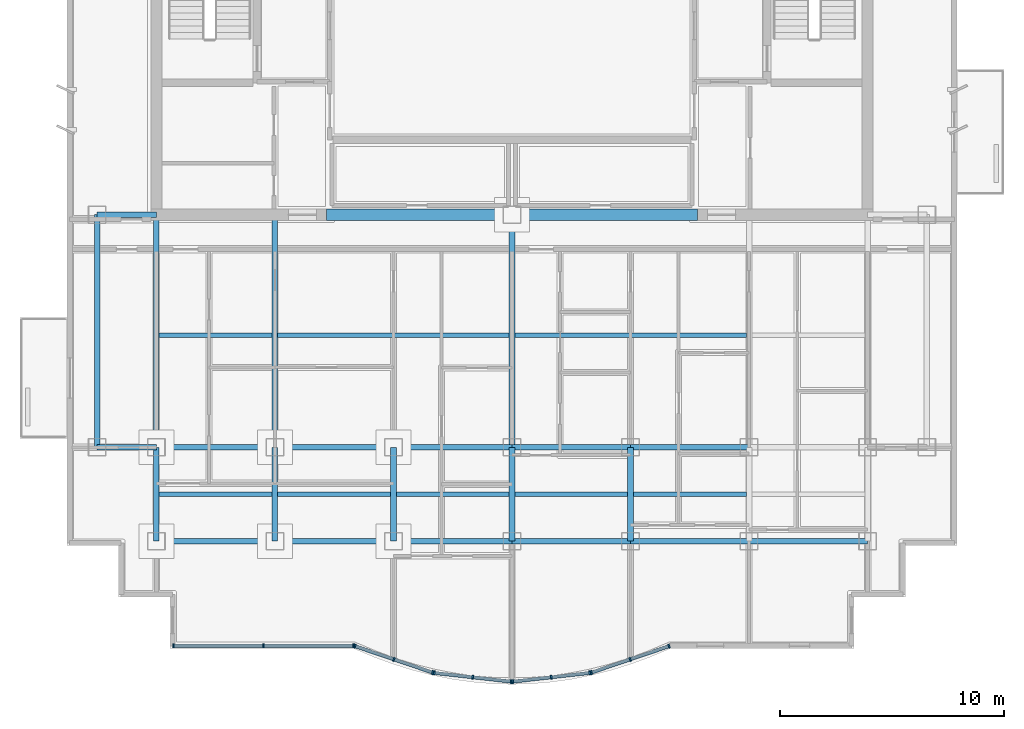
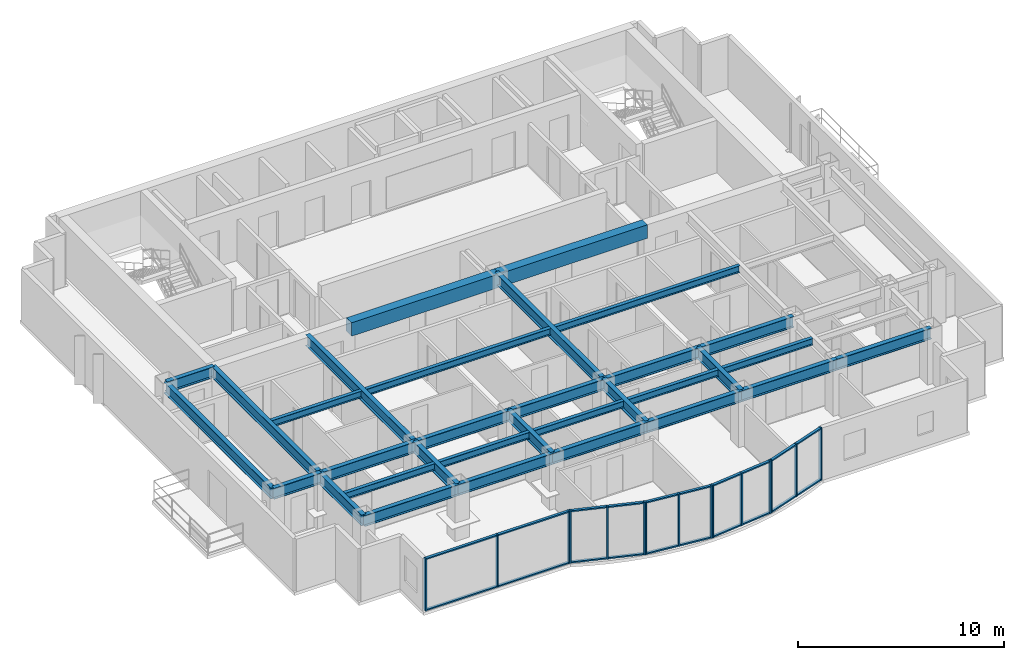
# One storey, part 2 of 9: 35 members, 32 beams, 5 elements without a shape of their own.
"""IFC4 building model written with IfcOpenShell, lengths in metres."""

from ifc_helpers import new_model, si_unit, direction, frame, origin, origin_2d, place, context, subcontext, project, spatial, rectangle, i_section, extrude, source, transform, mapped, material, layer, layer_set, material_profile, profile_set, type_object, element, aggregate, save


model = new_model("IFC4")

# Units and contexts
model_context = context("Model", 3, precision=1e-05, world=origin(), true_north=direction((0.0, 1.0)))
body_context = subcontext(model_context, "Body", "Model", "MODEL_VIEW")
ifc_project = project(units=[si_unit("LENGTHUNIT", "METRE"), si_unit("AREAUNIT", "SQUARE_METRE"), si_unit("VOLUMEUNIT", "CUBIC_METRE"), si_unit("PLANEANGLEUNIT", "RADIAN"), si_unit("MASSUNIT", "GRAM", prefix="KILO")], contexts=[model_context])

# Site, building, storey
site_placement = place(None, origin())
site = spatial("IfcSite", under=ifc_project, at=site_placement, CompositionType="ELEMENT")
building_placement = place(site_placement, origin())
building = spatial("IfcBuilding", under=site, at=building_placement, Name="Qianlan Lanfeng Residences", CompositionType="ELEMENT")
storey_placement = place(building_placement, frame((0.0, 0.0, 213.199951171875)))
storey = spatial("IfcBuildingStorey", under=building, at=storey_placement, Name="L58", CompositionType="ELEMENT", Elevation=213.199951171875)

# Beams
ifc_material_1 = material(Name="Steel SN490B", Category="steel")
ifc_material_profile_1 = material_profile(ifc_material_1, i_section(OverallWidth=0.25, OverallDepth=0.64990234375, WebThickness=0.012939453125, FlangeThickness=0.02197265625, at=origin_2d()), Name="H 650x250x13x22")
ifc_profile_set_1 = profile_set([ifc_material_profile_1], Name="Steel SN490B")
beam_type_1 = type_object("IfcBeamType", Name="G-650", PredefinedType="BEAM", material=ifc_profile_set_1)
beam_1_placement = place(storey_placement, frame((10.60009765625, 10.60009765625, 2.78515625), z_axis=(1.0, 0.0, 0.0), x_axis=(0.0, 1.0, 0.0)))
element("IfcBeam", 1, at=beam_1_placement, inside=storey, type_object=beam_type_1, Name="Structural beam G-650", PredefinedType="BEAM", context=body_context, shape_type="SweptSolid", body=[
    extrude(i_section(OverallWidth=0.25, OverallDepth=0.64990234375, WebThickness=0.012939453125, FlangeThickness=0.02197265625, at=origin_2d()), origin(), (0.0, 0.0, 1.0), 5.2998046875),
])
for number, where, z_axis, x_axis, name in (
    (2, (15.89990234375, 10.60009765625, 2.78515625), (1.0, 0.0, 0.0), (0.0, 1.0, 0.0), "Structural beam G-650"),
    (3, (21.199951171875, 10.60009765625, 2.78515625), (1.0, 0.0, 0.0), (0.0, 1.0, 0.0), "Structural beam G-650"),
    (4, (26.5, 10.60009765625, 2.78515625), (1.0, 0.0, 0.0), (0.0, 1.0, 0.0), "Structural beam G-650"),
    (5, (31.800048828125, 10.60009765625, 2.78515625), (1.0, 0.0, 0.0), (0.0, 1.0, 0.0), "Structural beam G-650"),
):
    element("IfcBeam", number, at=place(storey_placement, frame(where, z_axis=z_axis, x_axis=x_axis)), inside=storey, type_object=beam_type_1, Name=name, PredefinedType="BEAM", context=body_context, shape_type="SweptSolid", body=[
        extrude(i_section(OverallWidth=0.25, OverallDepth=0.64990234375, WebThickness=0.012939453125, FlangeThickness=0.02197265625, at=origin_2d()), origin(), (0.0, 0.0, 1.0), 5.300048828125),
    ])
beam_2_placement = place(storey_placement, frame((37.10009765625, 10.60009765625, 2.78515625), z_axis=(1.0, 0.0, 0.0), x_axis=(0.0, 1.0, 0.0)))
element("IfcBeam", 6, at=beam_2_placement, inside=storey, type_object=beam_type_1, Name="Structural beam G-650", PredefinedType="BEAM", context=body_context, shape_type="SweptSolid", body=[
    extrude(i_section(OverallWidth=0.25, OverallDepth=0.64990234375, WebThickness=0.012939453125, FlangeThickness=0.02197265625, at=origin_2d()), origin(), (0.0, 0.0, 1.0), 5.2998046875),
])
beam_3_placement = place(storey_placement, frame((7.949951171875, 14.800048828125, 2.78515625), z_axis=(1.0, 0.0, 0.0), x_axis=(0.0, 1.0, 0.0)))
element("IfcBeam", 7, at=beam_3_placement, inside=storey, type_object=beam_type_1, Name="Structural beam G-650", PredefinedType="BEAM", context=body_context, shape_type="SweptSolid", body=[
    extrude(i_section(OverallWidth=0.25, OverallDepth=0.64990234375, WebThickness=0.012939453125, FlangeThickness=0.02197265625, at=origin_2d()), origin(), (0.0, 0.0, 1.0), 2.650146484375),
])
beam_4_placement = place(storey_placement, frame((10.60009765625, 14.800048828125, 2.78515625), z_axis=(1.0, 0.0, 0.0), x_axis=(0.0, 1.0, 0.0)))
element("IfcBeam", 8, at=beam_4_placement, inside=storey, type_object=beam_type_1, Name="Structural beam G-650", PredefinedType="BEAM", context=body_context, shape_type="SweptSolid", body=[
    extrude(i_section(OverallWidth=0.25, OverallDepth=0.64990234375, WebThickness=0.012939453125, FlangeThickness=0.02197265625, at=origin_2d()), origin(), (0.0, 0.0, 1.0), 5.2998046875),
])
for number, where, z_axis, x_axis, name in (
    (9, (15.89990234375, 14.800048828125, 2.78515625), (1.0, 0.0, 0.0), (0.0, 1.0, 0.0), "Structural beam G-650"),
    (10, (21.199951171875, 14.800048828125, 2.78515625), (1.0, 0.0, 0.0), (0.0, 1.0, 0.0), "Structural beam G-650"),
    (11, (26.5, 14.800048828125, 2.78515625), (1.0, 0.0, 0.0), (0.0, 1.0, 0.0), "Structural beam G-650"),
    (12, (31.800048828125, 14.800048828125, 2.78515625), (1.0, 0.0, 0.0), (0.0, 1.0, 0.0), "Structural beam G-650"),
):
    element("IfcBeam", number, at=place(storey_placement, frame(where, z_axis=z_axis, x_axis=x_axis)), inside=storey, type_object=beam_type_1, Name=name, PredefinedType="BEAM", context=body_context, shape_type="SweptSolid", body=[
        extrude(i_section(OverallWidth=0.25, OverallDepth=0.64990234375, WebThickness=0.012939453125, FlangeThickness=0.02197265625, at=origin_2d()), origin(), (0.0, 0.0, 1.0), 5.300048828125),
    ])
beam_5_placement = place(storey_placement, frame((7.949951171875, 25.199951171875, 2.78515625), z_axis=(1.0, 0.0, 0.0), x_axis=(0.0, 1.0, 0.0)))
element("IfcBeam", 13, at=beam_5_placement, inside=storey, type_object=beam_type_1, Name="Structural beam G-650", PredefinedType="BEAM", context=body_context, shape_type="SweptSolid", body=[
    extrude(i_section(OverallWidth=0.25, OverallDepth=0.64990234375, WebThickness=0.012939453125, FlangeThickness=0.02197265625, at=origin_2d()), origin(), (0.0, 0.0, 1.0), 2.650146484375),
])
beam_6_placement = place(storey_placement, frame((10.60009765625, 10.60009765625, 2.78515625), z_axis=(0.0, 1.0, 0.0), x_axis=(-1.0, 0.0, 0.0)))
element("IfcBeam", 14, at=beam_6_placement, inside=storey, type_object=beam_type_1, Name="Structural beam G-650", PredefinedType="BEAM", context=body_context, shape_type="SweptSolid", body=[
    extrude(i_section(OverallWidth=0.25, OverallDepth=0.64990234375, WebThickness=0.012939453125, FlangeThickness=0.02197265625, at=origin_2d()), origin(), (0.0, 0.0, 1.0), 4.199951171875),
])
beam_7_placement = place(storey_placement, frame((10.60009765625, 14.800048828125, 2.78515625), z_axis=(0.0, 1.0, 0.0), x_axis=(-1.0, 0.0, 0.0)))
element("IfcBeam", 15, at=beam_7_placement, inside=storey, type_object=beam_type_1, Name="Structural beam G-650", PredefinedType="BEAM", context=body_context, shape_type="SweptSolid", body=[
    extrude(i_section(OverallWidth=0.25, OverallDepth=0.64990234375, WebThickness=0.012939453125, FlangeThickness=0.02197265625, at=origin_2d()), origin(), (0.0, 0.0, 1.0), 10.39990234375),
])
beam_8_placement = place(storey_placement, frame((15.89990234375, 10.60009765625, 2.78515625), z_axis=(0.0, 1.0, 0.0), x_axis=(-1.0, 0.0, 0.0)))
element("IfcBeam", 16, at=beam_8_placement, inside=storey, type_object=beam_type_1, Name="Structural beam G-650", PredefinedType="BEAM", context=body_context, shape_type="SweptSolid", body=[
    extrude(i_section(OverallWidth=0.25, OverallDepth=0.64990234375, WebThickness=0.012939453125, FlangeThickness=0.02197265625, at=origin_2d()), origin(), (0.0, 0.0, 1.0), 4.199951171875),
])
beam_9_placement = place(storey_placement, frame((15.89990234375, 14.800048828125, 2.78515625), z_axis=(0.0, 1.0, 0.0), x_axis=(-1.0, 0.0, 0.0)))
element("IfcBeam", 17, at=beam_9_placement, inside=storey, type_object=beam_type_1, Name="Structural beam G-650", PredefinedType="BEAM", context=body_context, shape_type="SweptSolid", body=[
    extrude(i_section(OverallWidth=0.25, OverallDepth=0.64990234375, WebThickness=0.012939453125, FlangeThickness=0.02197265625, at=origin_2d()), origin(), (0.0, 0.0, 1.0), 10.39990234375),
])
for number, where, z_axis, x_axis, name in (
    (18, (21.199951171875, 10.60009765625, 2.78515625), (0.0, 1.0, 0.0), (-1.0, 0.0, 0.0), "Structural beam G-650"),
    (19, (26.5, 10.60009765625, 2.78515625), (0.0, 1.0, 0.0), (-1.0, 0.0, 0.0), "Structural beam G-650"),
):
    element("IfcBeam", number, at=place(storey_placement, frame(where, z_axis=z_axis, x_axis=x_axis)), inside=storey, type_object=beam_type_1, Name=name, PredefinedType="BEAM", context=body_context, shape_type="SweptSolid", body=[
        extrude(i_section(OverallWidth=0.25, OverallDepth=0.64990234375, WebThickness=0.012939453125, FlangeThickness=0.02197265625, at=origin_2d()), origin(), (0.0, 0.0, 1.0), 4.199951171875),
    ])
beam_10_placement = place(storey_placement, frame((26.5, 14.800048828125, 2.78515625), z_axis=(0.0, 1.0, 0.0), x_axis=(-1.0, 0.0, 0.0)))
element("IfcBeam", 20, at=beam_10_placement, inside=storey, type_object=beam_type_1, Name="Structural beam G-650", PredefinedType="BEAM", context=body_context, shape_type="SweptSolid", body=[
    extrude(i_section(OverallWidth=0.25, OverallDepth=0.64990234375, WebThickness=0.012939453125, FlangeThickness=0.02197265625, at=origin_2d()), origin(), (0.0, 0.0, 1.0), 10.39990234375),
])
beam_11_placement = place(storey_placement, frame((31.800048828125, 10.60009765625, 2.78515625), z_axis=(0.0, 1.0, 0.0), x_axis=(-1.0, 0.0, 0.0)))
element("IfcBeam", 21, at=beam_11_placement, inside=storey, type_object=beam_type_1, Name="Structural beam G-650", PredefinedType="BEAM", context=body_context, shape_type="SweptSolid", body=[
    extrude(i_section(OverallWidth=0.25, OverallDepth=0.64990234375, WebThickness=0.012939453125, FlangeThickness=0.02197265625, at=origin_2d()), origin(), (0.0, 0.0, 1.0), 4.199951171875),
])
ifc_material_profile_2 = material_profile(ifc_material_1, i_section(OverallWidth=0.199951171875, OverallDepth=0.39990234375, WebThickness=0.008056640625, FlangeThickness=0.012939453125, at=origin_2d()), Name="H 400x200x8x13")
ifc_profile_set_2 = profile_set([ifc_material_profile_2], Name="Steel SN490B")
beam_type_2 = type_object("IfcBeamType", Name="J-400", PredefinedType="JOIST", material=ifc_profile_set_2)
beam_12_placement = place(storey_placement, frame((10.72509765625, 12.699951171875, 2.91015625), z_axis=(1.0, 0.0, 0.0), x_axis=(0.0, 1.0, 0.0)))
element("IfcBeam", 22, at=beam_12_placement, inside=storey, type_object=beam_type_2, Name="Structural beam J-400", PredefinedType="JOIST", context=body_context, shape_type="SweptSolid", body=[
    extrude(i_section(OverallWidth=0.199951171875, OverallDepth=0.39990234375, WebThickness=0.008056640625, FlangeThickness=0.012939453125, at=origin_2d()), origin(), (0.0, 0.0, 1.0), 5.0498046875),
])
for number, where, z_axis, x_axis, name in (
    (23, (16.02490234375, 12.699951171875, 2.91015625), (1.0, 0.0, 0.0), (0.0, 1.0, 0.0), "Structural beam J-400"),
    (24, (21.324951171875, 12.699951171875, 2.91015625), (1.0, 0.0, 0.0), (0.0, 1.0, 0.0), "Structural beam J-400"),
    (25, (26.625, 12.699951171875, 2.91015625), (1.0, 0.0, 0.0), (0.0, 1.0, 0.0), "Structural beam J-400"),
    (26, (31.925048828125, 12.699951171875, 2.91015625), (1.0, 0.0, 0.0), (0.0, 1.0, 0.0), "Structural beam J-400"),
):
    element("IfcBeam", number, at=place(storey_placement, frame(where, z_axis=z_axis, x_axis=x_axis)), inside=storey, type_object=beam_type_2, Name=name, PredefinedType="JOIST", context=body_context, shape_type="SweptSolid", body=[
        extrude(i_section(OverallWidth=0.199951171875, OverallDepth=0.39990234375, WebThickness=0.008056640625, FlangeThickness=0.012939453125, at=origin_2d()), origin(), (0.0, 0.0, 1.0), 5.050048828125),
    ])
beam_13_placement = place(storey_placement, frame((10.72509765625, 19.800048828125, 2.91015625), z_axis=(1.0, 0.0, 0.0), x_axis=(0.0, 1.0, 0.0)))
element("IfcBeam", 27, at=beam_13_placement, inside=storey, type_object=beam_type_2, Name="Structural beam J-400", PredefinedType="JOIST", context=body_context, shape_type="SweptSolid", body=[
    extrude(i_section(OverallWidth=0.199951171875, OverallDepth=0.39990234375, WebThickness=0.008056640625, FlangeThickness=0.012939453125, at=origin_2d()), origin(), (0.0, 0.0, 1.0), 5.0498046875),
])
for number, where, z_axis, x_axis, name in (
    (28, (16.02490234375, 19.800048828125, 2.91015625), (1.0, 0.0, 0.0), (0.0, 1.0, 0.0), "Structural beam J-400"),
    (29, (26.625, 19.800048828125, 2.91015625), (1.0, 0.0, 0.0), (0.0, 1.0, 0.0), "Structural beam J-400"),
):
    element("IfcBeam", number, at=place(storey_placement, frame(where, z_axis=z_axis, x_axis=x_axis)), inside=storey, type_object=beam_type_2, Name=name, PredefinedType="JOIST", context=body_context, shape_type="SweptSolid", body=[
        extrude(i_section(OverallWidth=0.199951171875, OverallDepth=0.39990234375, WebThickness=0.008056640625, FlangeThickness=0.012939453125, at=origin_2d()), origin(), (0.0, 0.0, 1.0), 10.35009765625),
    ])
ifc_material_2 = material(Name="Concrete C49", Category="concrete")
ifc_material_profile_3 = material_profile(ifc_material_2, rectangle(XDim=0.5, YDim=0.800048828125, at=origin_2d()), Name="RC 500x800")
ifc_profile_set_3 = profile_set([ifc_material_profile_3], Name="Concrete C49")
beam_type_3 = type_object("IfcBeamType", Name="LB-RC750", PredefinedType="BEAM", material=ifc_profile_set_3)
for number, where, z_axis, x_axis, name in (
    (30, (18.199951171875, 25.199951171875, 2.7099609375), (1.0, 0.0, 0.0), (0.0, 1.0, 0.0), "L58 Core Coupling Beam W"),
    (31, (26.5, 25.199951171875, 2.7099609375), (1.0, 0.0, 0.0), (0.0, 1.0, 0.0), "L58 Core Coupling Beam E"),
):
    element("IfcBeam", number, at=place(storey_placement, frame(where, z_axis=z_axis, x_axis=x_axis)), inside=storey, type_object=beam_type_3, Name=name, PredefinedType="BEAM", context=body_context, shape_type="SweptSolid", body=[
        extrude(rectangle(XDim=0.5, YDim=0.800048828125, at=origin_2d()), origin(), (0.0, 0.0, 1.0), 8.300048828125),
    ])
ifc_material_profile_4 = material_profile(ifc_material_1, i_section(OverallWidth=0.25, OverallDepth=0.64990234375, WebThickness=0.012939453125, FlangeThickness=0.02197265625, at=origin_2d()), Name="H 650x250x13x22")
ifc_profile_set_4 = profile_set([ifc_material_profile_4], Name="Steel SN490B")
beam_type_4 = type_object("IfcBeamType", Name="SG-650", PredefinedType="SPANDREL", material=ifc_profile_set_4)
beam_14_placement = place(storey_placement, frame((7.949951171875, 14.800048828125, 2.76513671875), z_axis=(0.0, 1.0, 0.0), x_axis=(-1.0, 0.0, 0.0)))
element("IfcBeam", 32, at=beam_14_placement, inside=storey, type_object=beam_type_4, Name="Structural beam SG-650", PredefinedType="SPANDREL", context=body_context, shape_type="SweptSolid", body=[
    extrude(i_section(OverallWidth=0.25, OverallDepth=0.64990234375, WebThickness=0.012939453125, FlangeThickness=0.02197265625, at=origin_2d()), origin(), (0.0, 0.0, 1.0), 10.39990234375),
])

# Curtain wall, members
ifc_material_3 = material(Name="Anodised Bronze Aluminium 6063-T6", Category="aluminium")
ifc_layer = layer(ifc_material_3, 0.219970703125)
ifc_layer_set = layer_set([ifc_layer], Name="Anodised Bronze Aluminium 6063-T6")
curtain_wall_type = type_object("IfcCurtainWallType", Name="CW-05", PredefinedType="NOTDEFINED", material=ifc_layer_set)
curtain_wall_1_placement = place(storey_placement, origin())
curtain_wall_1 = element("IfcCurtainWall", 33, at=curtain_wall_1_placement, inside=storey, type_object=curtain_wall_type, Name="L58 Unitised Curtain Wall CWR-L58-01 (CW-05)", PredefinedType="NOTDEFINED")
ifc_material_profile_5 = material_profile(ifc_material_3, rectangle(XDim=0.074951171875, YDim=0.14990234375, at=origin_2d()), Name="ALU TRANSOM 75x150")
ifc_profile_set_5 = profile_set([ifc_material_profile_5], Name="Anodised Bronze Aluminium 6063-T6")
member_type_1 = type_object("IfcMemberType", Name="CWT-150", PredefinedType="USERDEFINED", material=ifc_profile_set_5)
shared_shape_1 = source(origin(), body_context, "Body", "SweptSolid", [
    extrude(rectangle(XDim=0.074951171875, YDim=0.14990234375, at=origin_2d()), origin(), (0.0, 0.0, 1.0), 3.949462890625),
])
member_1_placement = place(storey_placement, frame((11.39501953125, 5.919921875, 0.03759765625), z_axis=(1.0, 0.0, 0.0), x_axis=(0.0, 0.0, 1.0)))
member_1 = element("IfcMember", 34, at=member_1_placement, type_object=member_type_1, Name="CWR-L58-01 Transom 1-BOT", ObjectType="TRANSOM", PredefinedType="USERDEFINED", context=body_context, shape_type="MappedRepresentation", body=[
    mapped(shared_shape_1, transform((0.0, 0.0, 0.0), scale=1.0)),
])
member_2_placement = place(storey_placement, frame((11.39501953125, 5.919921875, 3.072509765625), z_axis=(1.0, 0.0, 0.0), x_axis=(0.0, 0.0, 1.0)))
member_2 = element("IfcMember", 35, at=member_2_placement, type_object=member_type_1, Name="CWR-L58-01 Transom 1-TOP", ObjectType="TRANSOM", PredefinedType="USERDEFINED", context=body_context, shape_type="MappedRepresentation", body=[
    mapped(shared_shape_1, transform((0.0, 0.0, 0.0), scale=1.0)),
])
member_3_placement = place(storey_placement, frame((15.41943359375, 5.919921875, 0.03759765625), z_axis=(1.0, 0.0, 0.0), x_axis=(0.0, 0.0, 1.0)))
member_3 = element("IfcMember", 36, at=member_3_placement, type_object=member_type_1, Name="CWR-L58-01 Transom 2-BOT", ObjectType="TRANSOM", PredefinedType="USERDEFINED", context=body_context, shape_type="MappedRepresentation", body=[
    mapped(shared_shape_1, transform((0.0, 0.0, 0.0), scale=1.0)),
])
member_4_placement = place(storey_placement, frame((15.41943359375, 5.919921875, 3.072509765625), z_axis=(1.0, 0.0, 0.0), x_axis=(0.0, 0.0, 1.0)))
member_4 = element("IfcMember", 37, at=member_4_placement, type_object=member_type_1, Name="CWR-L58-01 Transom 2-TOP", ObjectType="TRANSOM", PredefinedType="USERDEFINED", context=body_context, shape_type="MappedRepresentation", body=[
    mapped(shared_shape_1, transform((0.0, 0.0, 0.0), scale=1.0)),
])

curtain_wall_2_placement = place(storey_placement, origin())
curtain_wall_2 = element("IfcCurtainWall", 38, at=curtain_wall_2_placement, inside=storey, type_object=curtain_wall_type, Name="L58 Unitised Curtain Wall CWR-L58-02 (CW-05)", PredefinedType="NOTDEFINED")
shared_shape_2 = source(origin(), body_context, "Body", "SweptSolid", [
    extrude(rectangle(XDim=0.074951171875, YDim=0.14990234375, at=origin_2d()), origin(), (0.0, 0.0, 1.0), 1.758056640625),
])
member_5_placement = place(storey_placement, frame((19.514892578125, 5.89599609375, 0.03759765625), z_axis=(0.946862437727, -0.321638809882, 0.0), x_axis=(0.0, 0.0, 1.0)))
member_5 = element("IfcMember", 39, at=member_5_placement, type_object=member_type_1, Name="CWR-L58-02 Transom 1-BOT", ObjectType="TRANSOM", PredefinedType="USERDEFINED", context=body_context, shape_type="MappedRepresentation", body=[
    mapped(shared_shape_2, transform((0.0, 0.0, 0.0), scale=1.0)),
])
member_6_placement = place(storey_placement, frame((19.514892578125, 5.89599609375, 3.072509765625), z_axis=(0.946862437727, -0.321638809882, 0.0), x_axis=(0.0, 0.0, 1.0)))
member_6 = element("IfcMember", 40, at=member_6_placement, type_object=member_type_1, Name="CWR-L58-02 Transom 1-TOP", ObjectType="TRANSOM", PredefinedType="USERDEFINED", context=body_context, shape_type="MappedRepresentation", body=[
    mapped(shared_shape_2, transform((0.0, 0.0, 0.0), scale=1.0)),
])

curtain_wall_3_placement = place(storey_placement, origin())
curtain_wall_3 = element("IfcCurtainWall", 41, at=curtain_wall_3_placement, inside=storey, type_object=curtain_wall_type, Name="L58 Unitised Curtain Wall CWR-L58-05 (CW-05)", PredefinedType="NOTDEFINED")
member_7_placement = place(storey_placement, frame((31.820556640625, 5.33056640625, 0.03759765625), z_axis=(0.946862437727, 0.321638809882, 0.0), x_axis=(0.0, 0.0, 1.0)))
member_7 = element("IfcMember", 42, at=member_7_placement, type_object=member_type_1, Name="CWR-L58-05 Transom 2-BOT", ObjectType="TRANSOM", PredefinedType="USERDEFINED", context=body_context, shape_type="MappedRepresentation", body=[
    mapped(shared_shape_2, transform((0.0, 0.0, 0.0), scale=1.0)),
])
member_8_placement = place(storey_placement, frame((31.820556640625, 5.33056640625, 3.072509765625), z_axis=(0.946862437727, 0.321638809882, 0.0), x_axis=(0.0, 0.0, 1.0)))
member_8 = element("IfcMember", 43, at=member_8_placement, type_object=member_type_1, Name="CWR-L58-05 Transom 2-TOP", ObjectType="TRANSOM", PredefinedType="USERDEFINED", context=body_context, shape_type="MappedRepresentation", body=[
    mapped(shared_shape_2, transform((0.0, 0.0, 0.0), scale=1.0)),
])

# Member
shared_shape_3 = source(origin(), body_context, "Body", "SweptSolid", [
    extrude(rectangle(XDim=0.074951171875, YDim=0.14990234375, at=origin_2d()), origin(), (0.0, 0.0, 1.0), 1.7578125),
])
member_9_placement = place(storey_placement, frame((21.25048828125, 5.306396484375, 0.03759765625), z_axis=(0.946904726058, -0.321514291702, 0.0), x_axis=(0.0, 0.0, 1.0)))
member_9 = element("IfcMember", 44, at=member_9_placement, type_object=member_type_1, Name="CWR-L58-02 Transom 2-BOT", ObjectType="TRANSOM", PredefinedType="USERDEFINED", context=body_context, shape_type="MappedRepresentation", body=[
    mapped(shared_shape_3, transform((0.0, 0.0, 0.0), scale=1.0)),
])

member_10_placement = place(storey_placement, frame((21.25048828125, 5.306396484375, 3.072509765625), z_axis=(0.946904726058, -0.321514291702, 0.0), x_axis=(0.0, 0.0, 1.0)))
member_10 = element("IfcMember", 45, at=member_10_placement, type_object=member_type_1, Name="CWR-L58-02 Transom 2-TOP", ObjectType="TRANSOM", PredefinedType="USERDEFINED", context=body_context, shape_type="MappedRepresentation", body=[
    mapped(shared_shape_3, transform((0.0, 0.0, 0.0), scale=1.0)),
])

member_11_placement = place(storey_placement, frame((30.0849609375, 4.7412109375, 0.03759765625), z_axis=(0.946904726058, 0.321514291702, 0.0), x_axis=(0.0, 0.0, 1.0)))
member_11 = element("IfcMember", 46, at=member_11_placement, type_object=member_type_1, Name="CWR-L58-05 Transom 1-BOT", ObjectType="TRANSOM", PredefinedType="USERDEFINED", context=body_context, shape_type="MappedRepresentation", body=[
    mapped(shared_shape_3, transform((0.0, 0.0, 0.0), scale=1.0)),
])

member_12_placement = place(storey_placement, frame((30.0849609375, 4.7412109375, 3.072509765625), z_axis=(0.946904726058, 0.321514291702, 0.0), x_axis=(0.0, 0.0, 1.0)))
member_12 = element("IfcMember", 47, at=member_12_placement, type_object=member_type_1, Name="CWR-L58-05 Transom 1-TOP", ObjectType="TRANSOM", PredefinedType="USERDEFINED", context=body_context, shape_type="MappedRepresentation", body=[
    mapped(shared_shape_3, transform((0.0, 0.0, 0.0), scale=1.0)),
])

# Curtain wall, members
curtain_wall_4_placement = place(storey_placement, origin())
curtain_wall_4 = element("IfcCurtainWall", 48, at=curtain_wall_4_placement, inside=storey, type_object=curtain_wall_type, Name="L58 Unitised Curtain Wall CWR-L58-03 (CW-05)", PredefinedType="NOTDEFINED")
shared_shape_4 = source(origin(), body_context, "Body", "SweptSolid", [
    extrude(rectangle(XDim=0.074951171875, YDim=0.14990234375, at=origin_2d()), origin(), (0.0, 0.0, 1.0), 1.65576171875),
])
member_13_placement = place(storey_placement, frame((23.060546875, 4.70849609375, 0.03759765625), z_axis=(0.993684337804, -0.112211571608, 0.0), x_axis=(0.0, 0.0, 1.0)))
member_13 = element("IfcMember", 49, at=member_13_placement, type_object=member_type_1, Name="CWR-L58-03 Transom 1-BOT", ObjectType="TRANSOM", PredefinedType="USERDEFINED", context=body_context, shape_type="MappedRepresentation", body=[
    mapped(shared_shape_4, transform((0.0, 0.0, 0.0), scale=1.0)),
])
member_14_placement = place(storey_placement, frame((23.060546875, 4.70849609375, 3.072509765625), z_axis=(0.993684337804, -0.112211571608, 0.0), x_axis=(0.0, 0.0, 1.0)))
member_14 = element("IfcMember", 50, at=member_14_placement, type_object=member_type_1, Name="CWR-L58-03 Transom 1-TOP", ObjectType="TRANSOM", PredefinedType="USERDEFINED", context=body_context, shape_type="MappedRepresentation", body=[
    mapped(shared_shape_4, transform((0.0, 0.0, 0.0), scale=1.0)),
])
member_15_placement = place(storey_placement, frame((24.7802734375, 4.514404296875, 0.03759765625), z_axis=(0.993667885999, -0.112357164139, 0.0), x_axis=(0.0, 0.0, 1.0)))
member_15 = element("IfcMember", 51, at=member_15_placement, type_object=member_type_1, Name="CWR-L58-03 Transom 2-BOT", ObjectType="TRANSOM", PredefinedType="USERDEFINED", context=body_context, shape_type="MappedRepresentation", body=[
    mapped(shared_shape_4, transform((0.0, 0.0, 0.0), scale=1.0)),
])
member_16_placement = place(storey_placement, frame((24.7802734375, 4.514404296875, 3.072509765625), z_axis=(0.993667885999, -0.112357164139, 0.0), x_axis=(0.0, 0.0, 1.0)))
member_16 = element("IfcMember", 52, at=member_16_placement, type_object=member_type_1, Name="CWR-L58-03 Transom 2-TOP", ObjectType="TRANSOM", PredefinedType="USERDEFINED", context=body_context, shape_type="MappedRepresentation", body=[
    mapped(shared_shape_4, transform((0.0, 0.0, 0.0), scale=1.0)),
])

curtain_wall_5_placement = place(storey_placement, origin())
curtain_wall_5 = element("IfcCurtainWall", 53, at=curtain_wall_5_placement, inside=storey, type_object=curtain_wall_type, Name="L58 Unitised Curtain Wall CWR-L58-04 (CW-05)", PredefinedType="NOTDEFINED")
member_17_placement = place(storey_placement, frame((26.574462890625, 4.328369140625, 0.03759765625), z_axis=(0.993667885999, 0.112357164139, 0.0), x_axis=(0.0, 0.0, 1.0)))
member_17 = element("IfcMember", 54, at=member_17_placement, type_object=member_type_1, Name="CWR-L58-04 Transom 1-BOT", ObjectType="TRANSOM", PredefinedType="USERDEFINED", context=body_context, shape_type="MappedRepresentation", body=[
    mapped(shared_shape_4, transform((0.0, 0.0, 0.0), scale=1.0)),
])
member_18_placement = place(storey_placement, frame((26.574462890625, 4.328369140625, 3.072509765625), z_axis=(0.993667885999, 0.112357164139, 0.0), x_axis=(0.0, 0.0, 1.0)))
member_18 = element("IfcMember", 55, at=member_18_placement, type_object=member_type_1, Name="CWR-L58-04 Transom 1-TOP", ObjectType="TRANSOM", PredefinedType="USERDEFINED", context=body_context, shape_type="MappedRepresentation", body=[
    mapped(shared_shape_4, transform((0.0, 0.0, 0.0), scale=1.0)),
])
member_19_placement = place(storey_placement, frame((28.294189453125, 4.522705078125, 0.03759765625), z_axis=(0.993684337804, 0.112211571608, 0.0), x_axis=(0.0, 0.0, 1.0)))
member_19 = element("IfcMember", 56, at=member_19_placement, type_object=member_type_1, Name="CWR-L58-04 Transom 2-BOT", ObjectType="TRANSOM", PredefinedType="USERDEFINED", context=body_context, shape_type="MappedRepresentation", body=[
    mapped(shared_shape_4, transform((0.0, 0.0, 0.0), scale=1.0)),
])
member_20_placement = place(storey_placement, frame((28.294189453125, 4.522705078125, 3.072509765625), z_axis=(0.993684337804, 0.112211571608, 0.0), x_axis=(0.0, 0.0, 1.0)))
member_20 = element("IfcMember", 57, at=member_20_placement, type_object=member_type_1, Name="CWR-L58-04 Transom 2-TOP", ObjectType="TRANSOM", PredefinedType="USERDEFINED", context=body_context, shape_type="MappedRepresentation", body=[
    mapped(shared_shape_4, transform((0.0, 0.0, 0.0), scale=1.0)),
])

# Member
ifc_material_profile_6 = material_profile(ifc_material_3, rectangle(XDim=0.074951171875, YDim=0.179931640625, at=origin_2d()), Name="ALU MULLION 75x180")
ifc_profile_set_6 = profile_set([ifc_material_profile_6], Name="Anodised Bronze Aluminium 6063-T6")
member_type_2 = type_object("IfcMemberType", Name="CWM-180", PredefinedType="MULLION", material=ifc_profile_set_6)
shared_shape_5 = source(origin(), body_context, "Body", "SweptSolid", [
    extrude(rectangle(XDim=0.074951171875, YDim=0.179931640625, at=origin_2d()), origin(), (0.0, 0.0, 1.0), 3.110107421875),
])
member_21_placement = place(storey_placement, frame((11.357421875, 5.919921875, 0.0), z_axis=(0.0, 0.0, 1.0), x_axis=(1.0, 0.0, 0.0)))
member_21 = element("IfcMember", 58, at=member_21_placement, type_object=member_type_2, Name="CWR-L58-01 Mullion 1", PredefinedType="MULLION", context=body_context, shape_type="MappedRepresentation", body=[
    mapped(shared_shape_5, transform((0.0, 0.0, 0.0), scale=1.0)),
])

member_22_placement = place(storey_placement, frame((15.382080078125, 5.919921875, 0.0), z_axis=(0.0, 0.0, 1.0), x_axis=(1.0, 0.0, 0.0)))
member_22 = element("IfcMember", 59, at=member_22_placement, type_object=member_type_2, Name="CWR-L58-01 Mullion 2", PredefinedType="MULLION", context=body_context, shape_type="MappedRepresentation", body=[
    mapped(shared_shape_5, transform((0.0, 0.0, 0.0), scale=1.0)),
])

member_23_placement = place(storey_placement, frame((19.406494140625, 5.919921875, 0.0), z_axis=(0.0, 0.0, 1.0), x_axis=(1.0, 0.0, 0.0)))
member_23 = element("IfcMember", 60, at=member_23_placement, type_object=member_type_2, Name="CWR-L58-01 Mullion 3", PredefinedType="MULLION", context=body_context, shape_type="MappedRepresentation", body=[
    mapped(shared_shape_5, transform((0.0, 0.0, 0.0), scale=1.0)),
])

aggregate(curtain_wall_1, [member_21, member_22, member_23, member_1, member_2, member_3, member_4])

member_24_placement = place(storey_placement, frame((19.4794921875, 5.907958984375, 0.0), z_axis=(0.0, 0.0, 1.0), x_axis=(0.946876819797, -0.321596467845, 0.0)))
member_24 = element("IfcMember", 61, at=member_24_placement, type_object=member_type_2, Name="CWR-L58-02 Mullion 1", PredefinedType="MULLION", context=body_context, shape_type="MappedRepresentation", body=[
    mapped(shared_shape_5, transform((0.0, 0.0, 0.0), scale=1.0)),
])

member_25_placement = place(storey_placement, frame((21.215087890625, 5.318603515625, 0.0), z_axis=(0.0, 0.0, 1.0), x_axis=(0.946876819797, -0.321596467845, 0.0)))
member_25 = element("IfcMember", 62, at=member_25_placement, type_object=member_type_2, Name="CWR-L58-02 Mullion 2", PredefinedType="MULLION", context=body_context, shape_type="MappedRepresentation", body=[
    mapped(shared_shape_5, transform((0.0, 0.0, 0.0), scale=1.0)),
])

member_26_placement = place(storey_placement, frame((22.950439453125, 4.72900390625, 0.0), z_axis=(0.0, 0.0, 1.0), x_axis=(0.946876819797, -0.321596467845, 0.0)))
member_26 = element("IfcMember", 63, at=member_26_placement, type_object=member_type_2, Name="CWR-L58-02 Mullion 3", PredefinedType="MULLION", context=body_context, shape_type="MappedRepresentation", body=[
    mapped(shared_shape_5, transform((0.0, 0.0, 0.0), scale=1.0)),
])

aggregate(curtain_wall_2, [member_24, member_25, member_26, member_5, member_6, member_9, member_10])

member_27_placement = place(storey_placement, frame((23.023193359375, 4.712890625, 0.0), z_axis=(0.0, 0.0, 1.0), x_axis=(0.993678497778, -0.112263275625, 0.0)))
member_27 = element("IfcMember", 64, at=member_27_placement, type_object=member_type_2, Name="CWR-L58-03 Mullion 1", PredefinedType="MULLION", context=body_context, shape_type="MappedRepresentation", body=[
    mapped(shared_shape_5, transform((0.0, 0.0, 0.0), scale=1.0)),
])

member_28_placement = place(storey_placement, frame((24.742919921875, 4.5185546875, 0.0), z_axis=(0.0, 0.0, 1.0), x_axis=(0.993678497778, -0.112263275625, 0.0)))
member_28 = element("IfcMember", 65, at=member_28_placement, type_object=member_type_2, Name="CWR-L58-03 Mullion 2", PredefinedType="MULLION", context=body_context, shape_type="MappedRepresentation", body=[
    mapped(shared_shape_5, transform((0.0, 0.0, 0.0), scale=1.0)),
])

member_29_placement = place(storey_placement, frame((26.462890625, 4.32421875, 0.0), z_axis=(0.0, 0.0, 1.0), x_axis=(0.993678497778, -0.112263275625, 0.0)))
member_29 = element("IfcMember", 66, at=member_29_placement, type_object=member_type_2, Name="CWR-L58-03 Mullion 3", PredefinedType="MULLION", context=body_context, shape_type="MappedRepresentation", body=[
    mapped(shared_shape_5, transform((0.0, 0.0, 0.0), scale=1.0)),
])

aggregate(curtain_wall_4, [member_27, member_28, member_29, member_13, member_14, member_15, member_16])

member_30_placement = place(storey_placement, frame((26.537353515625, 4.32421875, 0.0), z_axis=(0.0, 0.0, 1.0), x_axis=(0.993678497778, 0.112263275625, 0.0)))
member_30 = element("IfcMember", 67, at=member_30_placement, type_object=member_type_2, Name="CWR-L58-04 Mullion 1", PredefinedType="MULLION", context=body_context, shape_type="MappedRepresentation", body=[
    mapped(shared_shape_5, transform((0.0, 0.0, 0.0), scale=1.0)),
])

member_31_placement = place(storey_placement, frame((28.257080078125, 4.5185546875, 0.0), z_axis=(0.0, 0.0, 1.0), x_axis=(0.993678497778, 0.112263275625, 0.0)))
member_31 = element("IfcMember", 68, at=member_31_placement, type_object=member_type_2, Name="CWR-L58-04 Mullion 2", PredefinedType="MULLION", context=body_context, shape_type="MappedRepresentation", body=[
    mapped(shared_shape_5, transform((0.0, 0.0, 0.0), scale=1.0)),
])

member_32_placement = place(storey_placement, frame((29.976806640625, 4.712890625, 0.0), z_axis=(0.0, 0.0, 1.0), x_axis=(0.993678497778, 0.112263275625, 0.0)))
member_32 = element("IfcMember", 69, at=member_32_placement, type_object=member_type_2, Name="CWR-L58-04 Mullion 3", PredefinedType="MULLION", context=body_context, shape_type="MappedRepresentation", body=[
    mapped(shared_shape_5, transform((0.0, 0.0, 0.0), scale=1.0)),
])

aggregate(curtain_wall_5, [member_30, member_31, member_32, member_17, member_18, member_19, member_20])

member_33_placement = place(storey_placement, frame((30.049560546875, 4.72900390625, 0.0), z_axis=(0.0, 0.0, 1.0), x_axis=(0.946876819797, 0.321596467845, 0.0)))
member_33 = element("IfcMember", 70, at=member_33_placement, type_object=member_type_2, Name="CWR-L58-05 Mullion 1", PredefinedType="MULLION", context=body_context, shape_type="MappedRepresentation", body=[
    mapped(shared_shape_5, transform((0.0, 0.0, 0.0), scale=1.0)),
])

member_34_placement = place(storey_placement, frame((31.784912109375, 5.318603515625, 0.0), z_axis=(0.0, 0.0, 1.0), x_axis=(0.946876819797, 0.321596467845, 0.0)))
member_34 = element("IfcMember", 71, at=member_34_placement, type_object=member_type_2, Name="CWR-L58-05 Mullion 2", PredefinedType="MULLION", context=body_context, shape_type="MappedRepresentation", body=[
    mapped(shared_shape_5, transform((0.0, 0.0, 0.0), scale=1.0)),
])

member_35_placement = place(storey_placement, frame((33.5205078125, 5.907958984375, 0.0), z_axis=(0.0, 0.0, 1.0), x_axis=(0.946876819797, 0.321596467845, 0.0)))
member_35 = element("IfcMember", 72, at=member_35_placement, type_object=member_type_2, Name="CWR-L58-05 Mullion 3", PredefinedType="MULLION", context=body_context, shape_type="MappedRepresentation", body=[
    mapped(shared_shape_5, transform((0.0, 0.0, 0.0), scale=1.0)),
])

aggregate(curtain_wall_3, [member_33, member_34, member_35, member_11, member_12, member_7, member_8])

save(model, "model.ifc")
